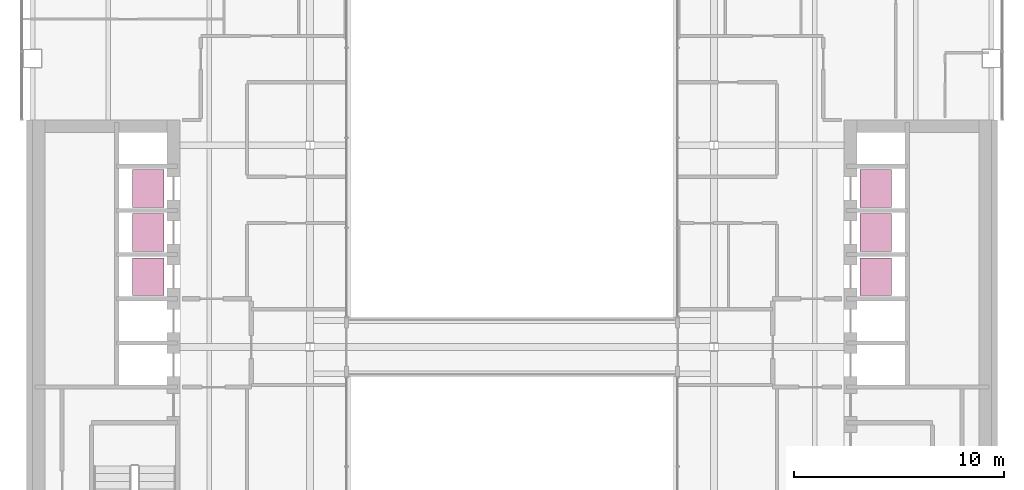
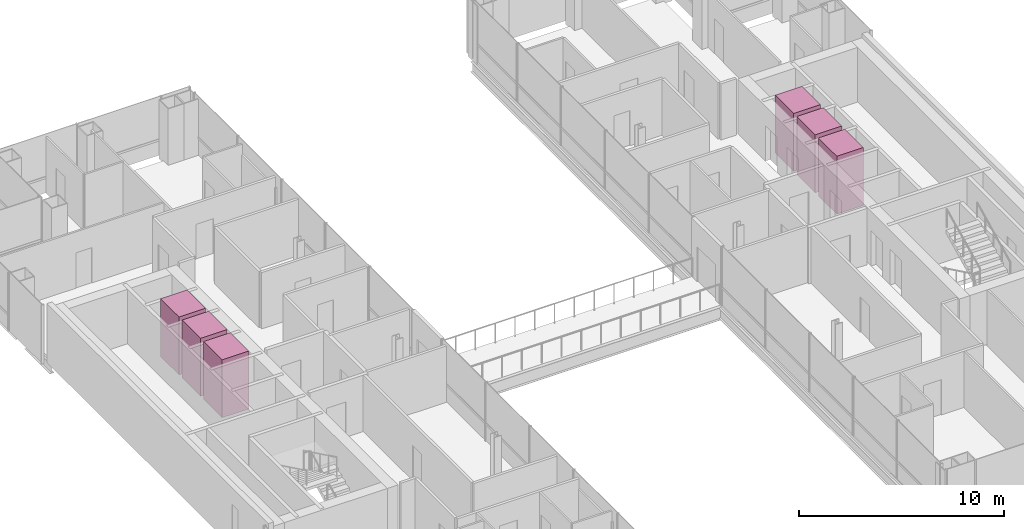
# One storey, part 16 of 16: 6 transport elements.
"""IFC4 building model written with IfcOpenShell, lengths in metres."""

from ifc_helpers import new_model, si_unit, direction, frame, origin, origin_2d, place, context, subcontext, project, spatial, rectangle, extrude, material, type_object, element, save


model = new_model("IFC4")

# Units and contexts
model_context = context("Model", 3, precision=1e-05, world=origin(), true_north=direction((0.0, 1.0)))
body_context = subcontext(model_context, "Body", "Model", "MODEL_VIEW")
ifc_project = project(units=[si_unit("LENGTHUNIT", "METRE"), si_unit("AREAUNIT", "SQUARE_METRE"), si_unit("VOLUMEUNIT", "CUBIC_METRE"), si_unit("PLANEANGLEUNIT", "RADIAN"), si_unit("MASSUNIT", "GRAM", prefix="KILO")], contexts=[model_context])

# Site, building, storey
site_placement = place(None, origin())
site = spatial("IfcSite", under=ifc_project, at=site_placement, CompositionType="ELEMENT")
building_placement = place(site_placement, origin())
building = spatial("IfcBuilding", under=site, at=building_placement, Name="Cobrizo Arcos Hotel Tower", CompositionType="ELEMENT")
storey_placement = place(building_placement, frame((0.0, 0.0, 120.5)))
storey = spatial("IfcBuildingStorey", under=building, at=storey_placement, Name="L30", CompositionType="ELEMENT", Elevation=120.5)

# Transport elements
ifc_material = material(Name="Stainless steel car", Category="steel")
transport_element_type = type_object("IfcTransportElementType", Name="Lift car Low 1.8x1.5", PredefinedType="ELEVATOR", material=ifc_material)
for number, where, z_axis, x_axis, name in (
    (1, (-17.300048828125, 3.35009765625, 0.0), (0.0, 0.0, 1.0), (1.0, 0.0, 0.0), "Low-rise passenger lift W1"),
    (2, (-17.300048828125, 5.449951171875, 0.0), (0.0, 0.0, 1.0), (1.0, 0.0, 0.0), "Low-rise passenger lift W2"),
    (3, (-17.300048828125, 7.550048828125, 0.0), (0.0, 0.0, 1.0), (1.0, 0.0, 0.0), "Low-rise passenger lift W3"),
    (4, (17.300048828125, 3.35009765625, 0.0), (0.0, 0.0, 1.0), (1.0, 0.0, 0.0), "Low-rise passenger lift E1"),
    (5, (17.300048828125, 5.449951171875, 0.0), (0.0, 0.0, 1.0), (1.0, 0.0, 0.0), "Low-rise passenger lift E2"),
    (6, (17.300048828125, 7.550048828125, 0.0), (0.0, 0.0, 1.0), (1.0, 0.0, 0.0), "Low-rise passenger lift E3"),
):
    element("IfcTransportElement", number, at=place(storey_placement, frame(where, z_axis=z_axis, x_axis=x_axis)), inside=storey, type_object=transport_element_type, Name=name, PredefinedType="ELEVATOR", context=body_context, shape_type="SweptSolid", body=[
        extrude(rectangle(XDim=1.5, YDim=1.800048828125, at=origin_2d()), origin(), (0.0, 0.0, 1.0), 3.449951171875),
    ])

save(model, "model.ifc")
